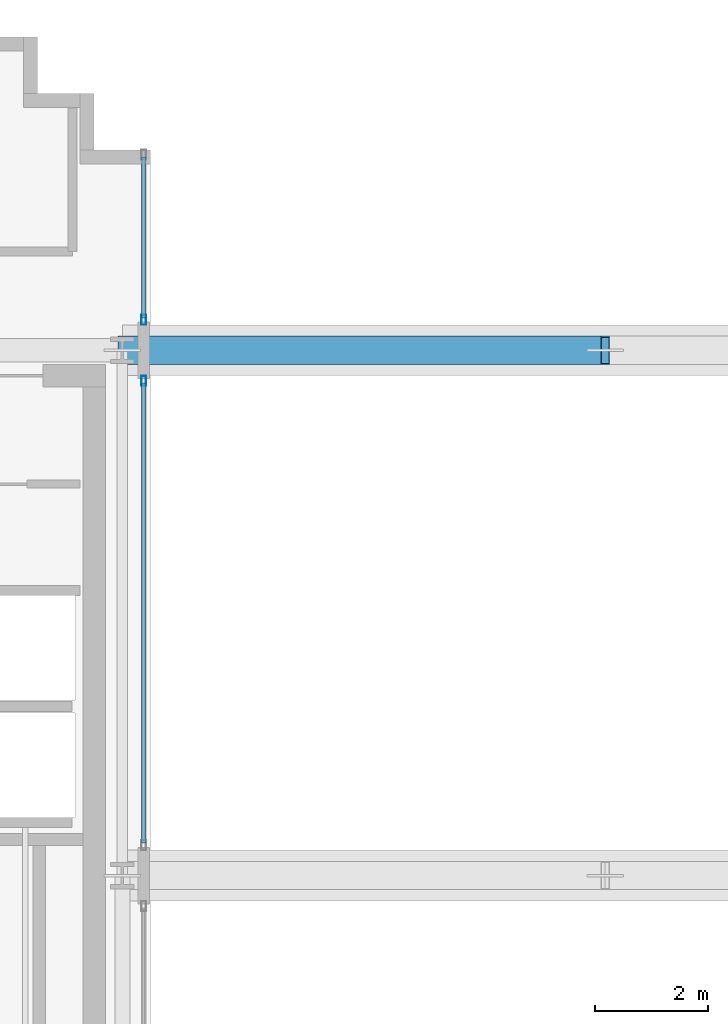
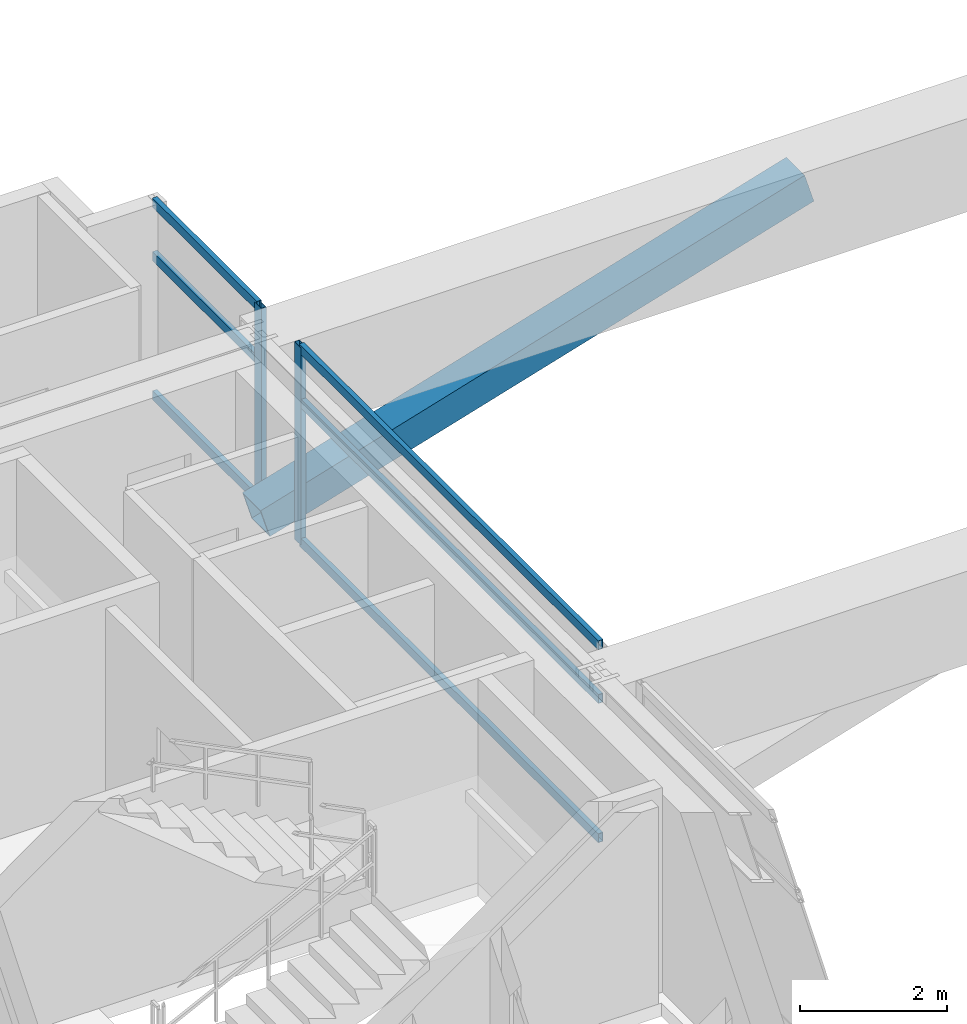
# One storey, part 9 of 28: 9 members, 2 elements without a shape of their own.
"""IFC4 building model written with IfcOpenShell, lengths in metres."""

from ifc_helpers import new_model, si_unit, direction, frame, origin, origin_2d, place, context, subcontext, project, spatial, hollow_rectangle, extrude, source, transform, mapped, material, layer, layer_set, material_profile, profile_set, type_object, element, aggregate, save


model = new_model("IFC4")

# Units and contexts
model_context = context("Model", 3, precision=1e-05, world=origin(), true_north=direction((0.0, 1.0)))
body_context = subcontext(model_context, "Body", "Model", "MODEL_VIEW")
ifc_project = project(units=[si_unit("LENGTHUNIT", "METRE"), si_unit("AREAUNIT", "SQUARE_METRE"), si_unit("VOLUMEUNIT", "CUBIC_METRE"), si_unit("PLANEANGLEUNIT", "RADIAN"), si_unit("MASSUNIT", "GRAM", prefix="KILO")], contexts=[model_context])

# Site, building, storey
site_placement = place(None, origin())
site = spatial("IfcSite", under=ifc_project, at=site_placement, CompositionType="ELEMENT")
building_placement = place(site_placement, origin())
building = spatial("IfcBuilding", under=site, at=building_placement, Name="Ocotamira Hotel", CompositionType="ELEMENT")
storey_placement = place(building_placement, frame((0.0, 0.0, 268.800048828125)))
storey = spatial("IfcBuildingStorey", under=building, at=storey_placement, Name="L68", CompositionType="ELEMENT", Elevation=268.800048828125)

# Member
ifc_material_1 = material(Name="Steel ASTM A913 Grade 65", Category="steel")
ifc_material_profile_1 = material_profile(ifc_material_1, hollow_rectangle(XDim=0.5, YDim=0.5, WallThickness=0.02001953125, at=origin_2d()), Name="HSS500X500X20")
ifc_profile_set_1 = profile_set([ifc_material_profile_1], Name="Steel ASTM A913 Grade 65")
member_type_1 = type_object("IfcMemberType", Name="MEM-OUT-HSS500", PredefinedType="BRACE", material=ifc_profile_set_1)
shared_shape_1 = source(origin(), body_context, "Body", "SweptSolid", [
    extrude(hollow_rectangle(XDim=0.5, YDim=0.5, WallThickness=0.02001953125, at=origin_2d()), origin(), (0.0, 0.0, 1.0), 8.9306640625),
])
member_1_placement = place(storey_placement, frame((23.5, 37.449951171875, 0.25), z_axis=(0.957368372311, 0.0, 0.288869866372), x_axis=(0.0, 1.0, 0.0)))
element("IfcMember", 1, at=member_1_placement, inside=storey, type_object=member_type_1, Name="L68 Peak Transfer Truss Web 1 Y37", PredefinedType="BRACE", context=body_context, shape_type="MappedRepresentation", body=[
    mapped(shared_shape_1, transform((0.0, 0.0, 0.0), scale=1.0)),
])

# Curtain wall, member
ifc_material_2 = material(Name="Anodised pale-metal aluminium and solar glass", Category="aluminium")
ifc_layer = layer(ifc_material_2, 0.2099609375)
ifc_layer_set = layer_set([ifc_layer], Name="Anodised pale-metal aluminium and solar glass")
curtain_wall_type = type_object("IfcCurtainWallType", Name="CW-SYS7-PEAK", PredefinedType="NOTDEFINED", material=ifc_layer_set)
curtain_wall_1_placement = place(storey_placement, origin())
curtain_wall_1 = element("IfcCurtainWall", 2, at=curtain_wall_1_placement, inside=storey, type_object=curtain_wall_type, Name="L68 Curtain Wall CW-7 CW-L68-WI3", PredefinedType="NOTDEFINED")
ifc_material_3 = material(Name="Anodised pale-metal aluminium 6063-T6", Category="aluminium")
ifc_material_profile_2 = material_profile(ifc_material_3, hollow_rectangle(XDim=0.080078125, YDim=0.179931640625, WallThickness=0.006103515625, at=origin_2d()), Name="HSS180X80X6")
ifc_profile_set_2 = profile_set([ifc_material_profile_2], Name="Anodised pale-metal aluminium 6063-T6")
member_type_2 = type_object("IfcMemberType", Name="CWM-180X75", PredefinedType="MULLION", material=ifc_profile_set_2)
shared_shape_2 = source(origin(), body_context, "Body", "SweptSolid", [
    extrude(hollow_rectangle(XDim=0.080078125, YDim=0.179931640625, WallThickness=0.006103515625, at=origin_2d()), origin(), (0.0, 0.0, 1.0), 3.280029296875),
])
member_2_placement = place(storey_placement, frame((23.8798828125, 36.909912109375, 0.0), z_axis=(0.0, 0.0, 1.0), x_axis=(-1.0, 0.0, 0.0)))
member_2 = element("IfcMember", 3, at=member_2_placement, type_object=member_type_2, Name="CW-7 mullion 2", PredefinedType="MULLION", context=body_context, shape_type="MappedRepresentation", body=[
    mapped(shared_shape_2, transform((0.0, 0.0, 0.0), scale=1.0)),
])

# Curtain wall, members
curtain_wall_2_placement = place(storey_placement, origin())
curtain_wall_2 = element("IfcCurtainWall", 4, at=curtain_wall_2_placement, inside=storey, type_object=curtain_wall_type, Name="L68 Curtain Wall CW-7 CW-L68-WI4", PredefinedType="NOTDEFINED")
member_3_placement = place(storey_placement, frame((23.8798828125, 37.989990234375, 0.0), z_axis=(0.0, 0.0, 1.0), x_axis=(-1.0, 0.0, 0.0)))
member_3 = element("IfcMember", 5, at=member_3_placement, type_object=member_type_2, Name="CW-7 mullion 1", PredefinedType="MULLION", context=body_context, shape_type="MappedRepresentation", body=[
    mapped(shared_shape_2, transform((0.0, 0.0, 0.0), scale=1.0)),
])
ifc_material_profile_3 = material_profile(ifc_material_3, hollow_rectangle(XDim=0.074951171875, YDim=0.14990234375, WallThickness=0.006103515625, at=origin_2d()), Name="HSS150X75X6")
ifc_profile_set_3 = profile_set([ifc_material_profile_3], Name="Anodised pale-metal aluminium 6063-T6")
member_type_3 = type_object("IfcMemberType", Name="CWT-150X75", PredefinedType="USERDEFINED", material=ifc_profile_set_3)
shared_shape_3 = source(origin(), body_context, "Body", "SweptSolid", [
    extrude(hollow_rectangle(XDim=0.074951171875, YDim=0.14990234375, WallThickness=0.006103515625, at=origin_2d()), origin(), (0.0, 0.0, 1.0), 2.840087890625),
])
member_4_placement = place(storey_placement, frame((23.8798828125, 38.030029296875, 0.037353515625), z_axis=(0.0, 1.0, 0.0), x_axis=(-1.0, 0.0, 0.0)))
member_4 = element("IfcMember", 6, at=member_4_placement, type_object=member_type_3, Name="CW-7 transom 1.1", ObjectType="TRANSOM", PredefinedType="USERDEFINED", context=body_context, shape_type="MappedRepresentation", body=[
    mapped(shared_shape_3, transform((0.0, 0.0, 0.0), scale=1.0)),
])
member_5_placement = place(storey_placement, frame((23.8798828125, 38.030029296875, 2.349853515625), z_axis=(0.0, 1.0, 0.0), x_axis=(-1.0, 0.0, 0.0)))
member_5 = element("IfcMember", 7, at=member_5_placement, type_object=member_type_3, Name="CW-7 transom 1.2", ObjectType="TRANSOM", PredefinedType="USERDEFINED", context=body_context, shape_type="MappedRepresentation", body=[
    mapped(shared_shape_3, transform((0.0, 0.0, 0.0), scale=1.0)),
])
member_6_placement = place(storey_placement, frame((23.8798828125, 38.030029296875, 3.242431640625), z_axis=(0.0, 1.0, 0.0), x_axis=(-1.0, 0.0, 0.0)))
member_6 = element("IfcMember", 8, at=member_6_placement, type_object=member_type_3, Name="CW-7 transom 1.3", ObjectType="TRANSOM", PredefinedType="USERDEFINED", context=body_context, shape_type="MappedRepresentation", body=[
    mapped(shared_shape_3, transform((0.0, 0.0, 0.0), scale=1.0)),
])
aggregate(curtain_wall_2, [member_3, member_4, member_5, member_6])

# Member
shared_shape_4 = source(origin(), body_context, "Body", "SweptSolid", [
    extrude(hollow_rectangle(XDim=0.074951171875, YDim=0.14990234375, WallThickness=0.006103515625, at=origin_2d()), origin(), (0.0, 0.0, 1.0), 8.14013671875),
])
member_7_placement = place(storey_placement, frame((23.8798828125, 28.72998046875, 0.037353515625), z_axis=(0.0, 1.0, 0.0), x_axis=(-1.0, 0.0, 0.0)))
member_7 = element("IfcMember", 9, at=member_7_placement, type_object=member_type_3, Name="CW-7 transom 1.1", ObjectType="TRANSOM", PredefinedType="USERDEFINED", context=body_context, shape_type="MappedRepresentation", body=[
    mapped(shared_shape_4, transform((0.0, 0.0, 0.0), scale=1.0)),
])

member_8_placement = place(storey_placement, frame((23.8798828125, 28.72998046875, 2.349853515625), z_axis=(0.0, 1.0, 0.0), x_axis=(-1.0, 0.0, 0.0)))
member_8 = element("IfcMember", 10, at=member_8_placement, type_object=member_type_3, Name="CW-7 transom 1.2", ObjectType="TRANSOM", PredefinedType="USERDEFINED", context=body_context, shape_type="MappedRepresentation", body=[
    mapped(shared_shape_4, transform((0.0, 0.0, 0.0), scale=1.0)),
])

member_9_placement = place(storey_placement, frame((23.8798828125, 28.72998046875, 3.242431640625), z_axis=(0.0, 1.0, 0.0), x_axis=(-1.0, 0.0, 0.0)))
member_9 = element("IfcMember", 11, at=member_9_placement, type_object=member_type_3, Name="CW-7 transom 1.3", ObjectType="TRANSOM", PredefinedType="USERDEFINED", context=body_context, shape_type="MappedRepresentation", body=[
    mapped(shared_shape_4, transform((0.0, 0.0, 0.0), scale=1.0)),
])

aggregate(curtain_wall_1, [member_2, member_7, member_8, member_9])

save(model, "model.ifc")
